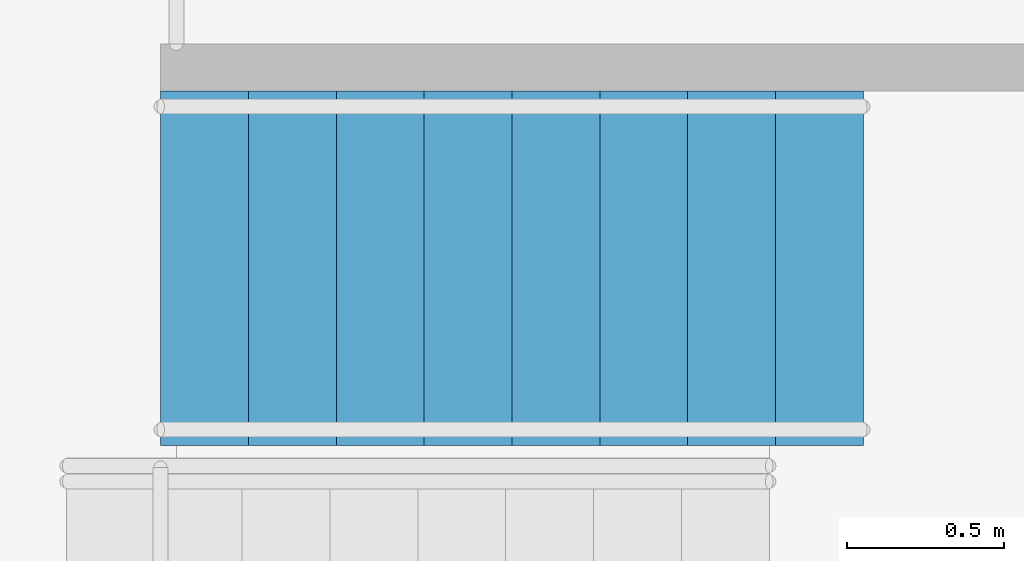
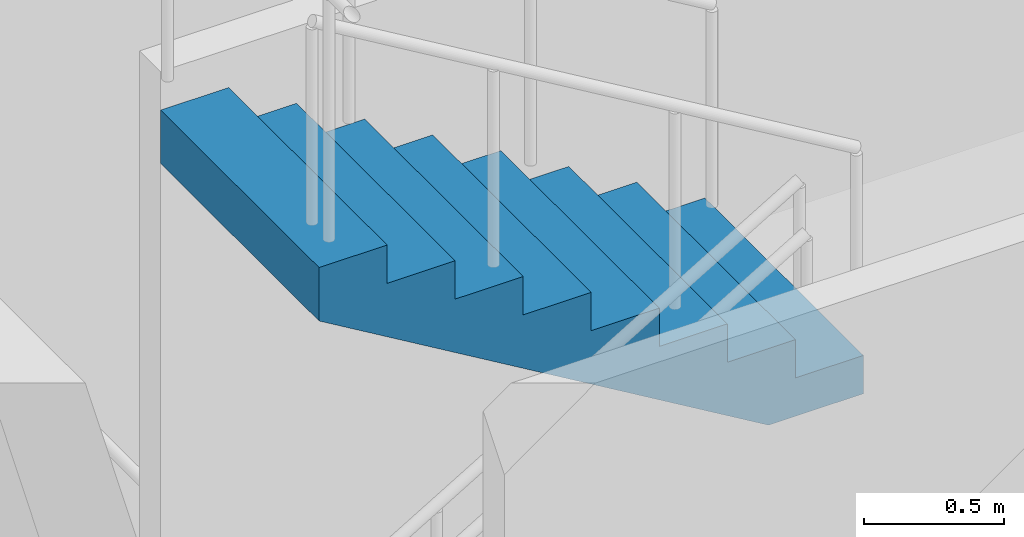
# One storey, part 57 of 70: 1 stair flight, 1 element without a shape of its own.
"""IFC4 building model written with IfcOpenShell, lengths in metres."""

from ifc_helpers import new_model, si_unit, direction, frame, origin, place, context, subcontext, project, spatial, polyline, outline, extrude, material, type_object, element, aggregate, save


model = new_model("IFC4")

# Units and contexts
model_context = context("Model", 3, precision=1e-05, world=origin(), true_north=direction((0.0, 1.0)))
body_context = subcontext(model_context, "Body", "Model", "MODEL_VIEW")
ifc_project = project(units=[si_unit("LENGTHUNIT", "METRE"), si_unit("AREAUNIT", "SQUARE_METRE"), si_unit("VOLUMEUNIT", "CUBIC_METRE"), si_unit("PLANEANGLEUNIT", "RADIAN"), si_unit("MASSUNIT", "GRAM", prefix="KILO")], contexts=[model_context])

# Site, building, storey
site_placement = place(None, origin())
site = spatial("IfcSite", under=ifc_project, at=site_placement, CompositionType="ELEMENT")
building_placement = place(site_placement, origin())
building = spatial("IfcBuilding", under=site, at=building_placement, Name="Vermilion Court Aquatics Centre", CompositionType="ELEMENT")
storey_placement = place(building_placement, origin())
storey = spatial("IfcBuildingStorey", under=building, at=storey_placement, Name="L00", CompositionType="ELEMENT", Elevation=0.0)

# Stair, stair flight
ifc_material_1 = material(Name="Concrete 5000 psi", Category="concrete")
stair_type = type_object("IfcStairType", Name="North block exit stair 1130", PredefinedType="HALF_TURN_STAIR", material=ifc_material_1)
stair_placement = place(storey_placement, origin())
stair = element("IfcStair", 1, at=stair_placement, inside=storey, type_object=stair_type, Name="Exit stair ST-T2 L00", PredefinedType="HALF_TURN_STAIR")
ifc_material_2 = material(Name="Concrete 5000 psi", Category="concrete")
stair_flight_type = type_object("IfcStairFlightType", Name="North block stair flight 1130", PredefinedType="STRAIGHT", material=ifc_material_2)
stair_flight_placement = place(storey_placement, frame((190.93994140625, 103.864990234375, 4.5), z_axis=(0.0, 0.0, 1.0), x_axis=(-1.0, 0.0, 0.0)))
stair_flight = element("IfcStairFlight", 2, at=stair_flight_placement, type_object=stair_flight_type, Name="ST-T2 flight 4", NumberOfRisers=9, NumberOfTreads=8, PredefinedType="STRAIGHT", RiserHeight=0.166667, TreadLength=0.28, context=body_context, shape_type="SweptSolid", body=[
    extrude(outline(polyline([(0.0, 0.0), (0.0, 0.166748046875), (0.280029296875, 0.166748046875), (0.280029296875, 0.333251953125), (0.56005859375, 0.333251953125), (0.56005859375, 0.5), (0.840087890625, 0.5), (0.840087890625, 0.666748046875), (1.1201171875, 0.666748046875), (1.1201171875, 0.833251953125), (1.39990234375, 0.833251953125), (1.39990234375, 1.0), (1.679931640625, 1.0), (1.679931640625, 1.166748046875), (1.9599609375, 1.166748046875), (1.9599609375, 1.333251953125), (2.239990234375, 1.333251953125), (2.239990234375, 1.5), (2.239990234375, 1.1005859375), (0.390869140625, 0.0), (0.0, 0.0)])), frame((0.0, 0.56494140625, 0.0), z_axis=(0.0, -1.0, 0.0), x_axis=(1.0, 0.0, 0.0)), (0.0, 0.0, 1.0), 1.1298828125),
])
aggregate(stair, [stair_flight])

save(model, "model.ifc")
